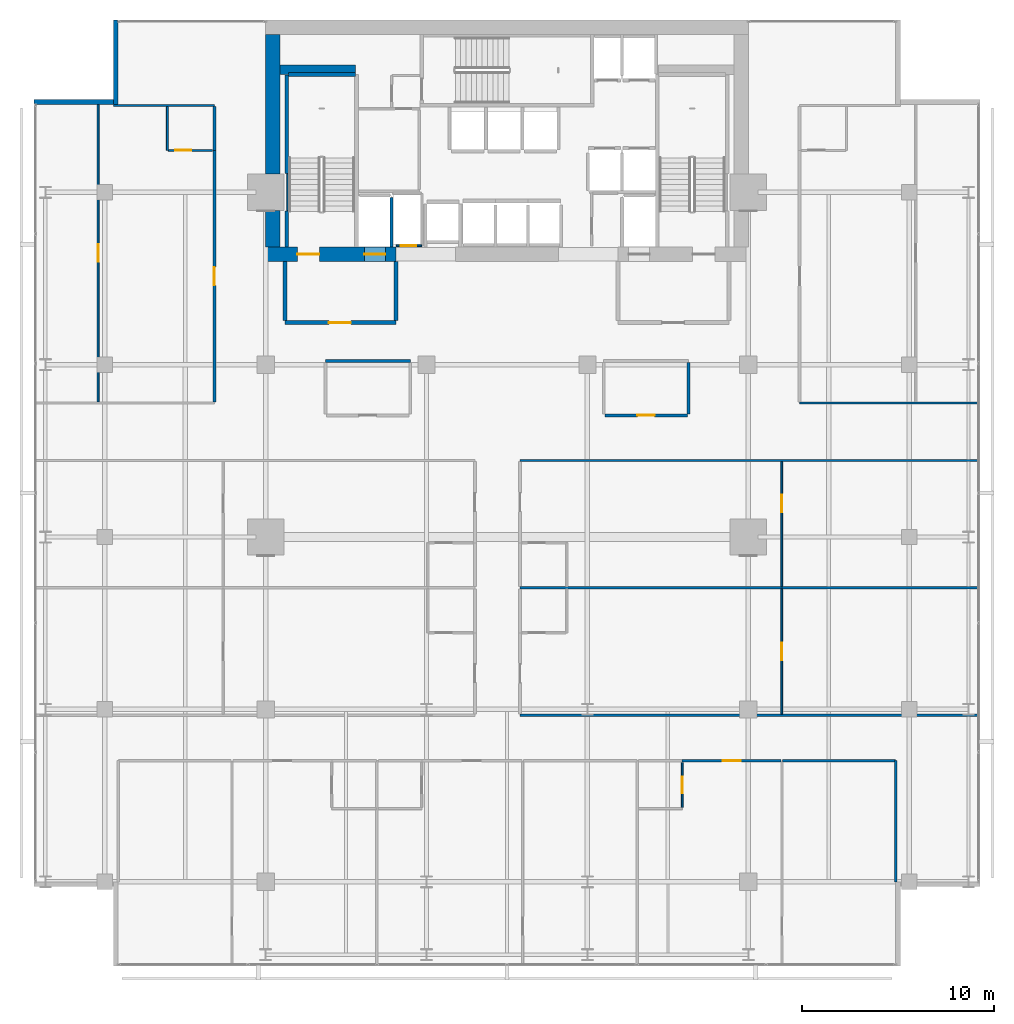
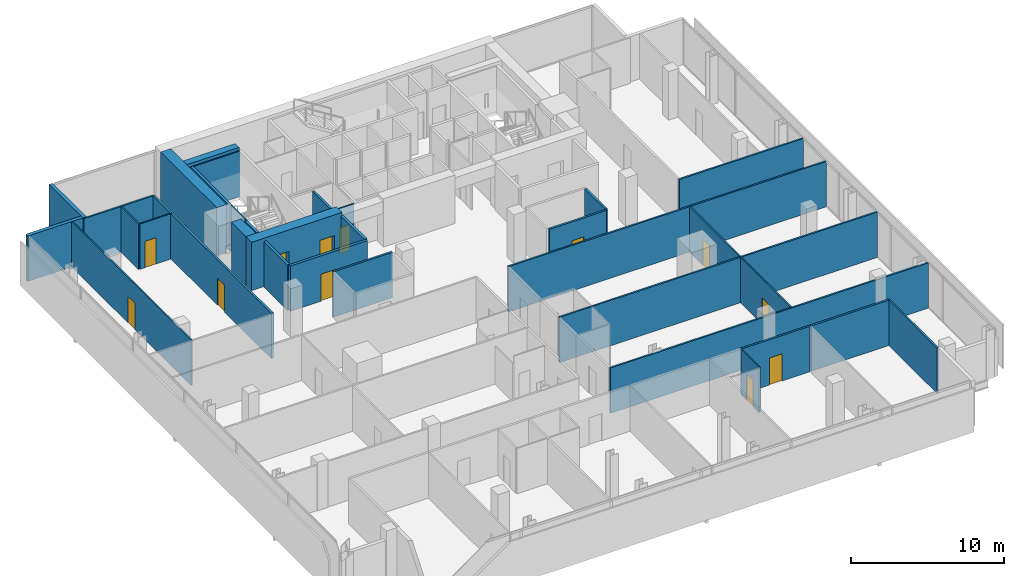
# One storey, part 28 of 32: 34 walls, 12 doors, 12 openings.
"""IFC4 building model written with IfcOpenShell, lengths in metres."""

from ifc_helpers import new_model, si_unit, direction, frame, frame_2d, origin, place, context, subcontext, project, spatial, rectangle, extrude, material, layer, layer_set, type_object, element, fill, save


model = new_model("IFC4")

# Units and contexts
model_context = context("Model", 3, precision=1e-05, world=origin(), true_north=direction((0.0, 1.0)))
body_context = subcontext(model_context, "Body", "Model", "MODEL_VIEW")
ifc_project = project(units=[si_unit("LENGTHUNIT", "METRE"), si_unit("AREAUNIT", "SQUARE_METRE"), si_unit("VOLUMEUNIT", "CUBIC_METRE"), si_unit("PLANEANGLEUNIT", "RADIAN"), si_unit("MASSUNIT", "GRAM", prefix="KILO")], contexts=[model_context])

# Site, building, storey
site_placement = place(None, origin())
site = spatial("IfcSite", under=ifc_project, at=site_placement, CompositionType="ELEMENT")
building_placement = place(site_placement, origin())
building = spatial("IfcBuilding", under=site, at=building_placement, Name="Maruvema Waterfront Hotel and Observation Tower", CompositionType="ELEMENT")
storey_placement = place(building_placement, frame((0.0, 0.0, 165.89990234375)))
storey = spatial("IfcBuildingStorey", under=building, at=storey_placement, Name="L40", CompositionType="ELEMENT", Elevation=165.89990234375)

# Walls
ifc_material_1 = material(Name="Twin-stud acoustic gypsum drywall", Category="gypsum")
ifc_layer_1 = layer(ifc_material_1, 0.14990234375, Name="Acoustic Corridor and Suite Demising Wall 150 mm")
ifc_layer_set_1 = layer_set([ifc_layer_1], Name="Twin-stud acoustic gypsum drywall")
wall_type_1 = type_object("IfcWallType", Name="Acoustic Corridor and Suite Demising Wall 150 mm", PredefinedType="PARTITIONING", material=ifc_layer_set_1)
wall_1_placement = place(storey_placement, frame((28.320068359375, 36.199951171875, 0.0), z_axis=(0.0, 0.0, 1.0), x_axis=(1.0, 0.0, 0.0)))
element("IfcWall", 1, at=wall_1_placement, inside=storey, type_object=wall_type_1, Name="L40 L40-M1 Back Wall 017", PredefinedType="PARTITIONING", context=body_context, shape_type="SweptSolid", body=[
    extrude(rectangle(XDim=4.429931640625, YDim=0.14990234375, at=frame_2d((2.21484375, 0.0))), origin(), (0.0, 0.0, 1.0), 3.610107421875),
])
wall_2_placement = place(storey_placement, frame((47.280029296875, 33.429931640625, 0.0), z_axis=(0.0, 0.0, 1.0), x_axis=(0.0, 1.0, 0.0)))
element("IfcWall", 2, at=wall_2_placement, inside=storey, type_object=wall_type_1, Name="L40 L40-M2 East Wall 023", PredefinedType="PARTITIONING", context=body_context, shape_type="SweptSolid", body=[
    extrude(rectangle(XDim=2.690185546875, YDim=0.14990234375, at=frame_2d((1.34521484375, 0.0))), origin(), (0.0, 0.0, 1.0), 3.610107421875),
])

# Wall, opening, door
wall_3_placement = place(storey_placement, frame((42.909912109375, 33.35009765625, 0.0), z_axis=(0.0, 0.0, 1.0), x_axis=(1.0, 0.0, 0.0)))
wall_3 = element("IfcWall", 3, at=wall_3_placement, inside=storey, type_object=wall_type_1, Name="L40 L40-M2 Front 1 024", PredefinedType="PARTITIONING", context=body_context, shape_type="SweptSolid", body=[
    extrude(rectangle(XDim=4.31005859375, YDim=0.14990234375, at=frame_2d((2.155029296875, 0.0))), origin(), (0.0, 0.0, 1.0), 3.610107421875),
])
opening_1_placement = place(wall_3_placement, frame((1.705078125, 0.0, 0.0)))
opening_1 = element("IfcOpeningElement", 4, at=opening_1_placement, cuts=wall_3, Name="Opening DR-090", PredefinedType="OPENING", context=body_context, shape_type="SweptSolid", body=[
    extrude(rectangle(XDim=0.89990234375, YDim=2.10009765625, at=frame_2d((0.449951171875, 1.050048828125))), frame((0.0, 0.0849609375, 0.0), z_axis=(0.0, -1.0, 0.0), x_axis=(1.0, 0.0, 0.0)), (0.0, 0.0, 1.0), 0.169921875),
])
ifc_material_2 = material(Name="Solid-core lacquered timber leaf", Category="wood")
door_type_1 = type_object("IfcDoorType", Name="Accessible Toilet and Room Door 900x2100 mm", OperationType="NOTDEFINED", PredefinedType="DOOR", material=ifc_material_2)
door_1_placement = place(opening_1_placement, frame((0.89990234375, 0.0, 0.0), z_axis=(0.0, 0.0, 1.0), x_axis=(-1.0, 0.0, 0.0)))
door_1 = element("IfcDoor", 5, at=door_1_placement, inside=storey, type_object=door_type_1, Name="L40 Chef Kitchen 3 Door", OperationType="SINGLE_SWING_RIGHT", OverallHeight=2.10009765625, OverallWidth=0.89990234375, PredefinedType="DOOR", context=body_context, shape_type="SweptSolid", body=[
    extrude(rectangle(XDim=0.89990234375, YDim=2.10009765625, at=frame_2d((0.449951171875, 1.050048828125))), frame((0.0, 0.02490234375, 0.0), z_axis=(0.0, -1.0, 0.0), x_axis=(1.0, 0.0, 0.0)), (0.0, 0.0, 1.0), 0.050048828125),
])
fill(opening_1, door_1)

wall_4_placement = place(storey_placement, frame((46.949951171875, 15.320068359375, 0.0), z_axis=(0.0, 0.0, 1.0), x_axis=(1.0, 0.0, 0.0)))
wall_4 = element("IfcWall", 6, at=wall_4_placement, inside=storey, type_object=wall_type_1, Name="L40 Unit L40-S3 Corridor Wall 044", PredefinedType="PARTITIONING", context=body_context, shape_type="SweptSolid", body=[
    extrude(rectangle(XDim=5.170166015625, YDim=0.14990234375, at=frame_2d((2.5849609375, 0.0))), origin(), (0.0, 0.0, 1.0), 3.610107421875),
])
opening_2_placement = place(wall_4_placement, frame((2.110107421875, 0.0, 0.0)))
opening_2 = element("IfcOpeningElement", 7, at=opening_2_placement, cuts=wall_4, Name="Opening DR-095", PredefinedType="OPENING", context=body_context, shape_type="SweptSolid", body=[
    extrude(rectangle(XDim=0.949951171875, YDim=2.14990234375, at=frame_2d((0.47509765625, 1.074951171875))), frame((0.0, 0.0849609375, 0.0), z_axis=(0.0, -1.0, 0.0), x_axis=(1.0, 0.0, 0.0)), (0.0, 0.0, 1.0), 0.169921875),
])
ifc_material_3 = material(Name="Acoustic solid-core hardwood timber leaf", Category="wood")
door_type_2 = type_object("IfcDoorType", Name="Guestroom Entrance Fire Door 950x2150 mm", OperationType="NOTDEFINED", PredefinedType="DOOR", material=ifc_material_3)
door_2_placement = place(opening_2_placement, frame((0.949951171875, 0.0, 0.0), z_axis=(0.0, 0.0, 1.0), x_axis=(-1.0, 0.0, 0.0)))
door_2 = element("IfcDoor", 8, at=door_2_placement, inside=storey, type_object=door_type_2, Name="L40 Unit L40-S3 Entrance Door", OperationType="SINGLE_SWING_RIGHT", OverallHeight=2.14990234375, OverallWidth=0.949951171875, PredefinedType="DOOR", context=body_context, shape_type="SweptSolid", body=[
    extrude(rectangle(XDim=0.949951171875, YDim=2.14990234375, at=frame_2d((0.47509765625, 1.074951171875))), frame((0.0, 0.02490234375, 0.0), z_axis=(0.0, -1.0, 0.0), x_axis=(1.0, 0.0, 0.0)), (0.0, 0.0, 1.0), 0.050048828125),
])
fill(opening_2, door_2)

# Wall
wall_5_placement = place(storey_placement, frame((52.199951171875, 15.320068359375, 0.0), z_axis=(0.0, 0.0, 1.0), x_axis=(1.0, 0.0, 0.0)))
element("IfcWall", 9, at=wall_5_placement, inside=storey, type_object=wall_type_1, Name="L40 Bedroom L40-S3 Back Wall 045", PredefinedType="PARTITIONING", context=body_context, shape_type="SweptSolid", body=[
    extrude(rectangle(XDim=5.880126953125, YDim=0.14990234375, at=frame_2d((2.93994140625, 0.0))), origin(), (0.0, 0.0, 1.0), 3.610107421875),
])

# Wall, opening, door
wall_6_placement = place(storey_placement, frame((22.52001953125, 34.06005859375, 0.0), z_axis=(0.0, 0.0, 1.0), x_axis=(0.0, 1.0, 0.0)))
wall_6 = element("IfcWall", 10, at=wall_6_placement, inside=storey, type_object=wall_type_1, Name="L40 Room L40-NW1 Corridor Wall 077", PredefinedType="PARTITIONING", context=body_context, shape_type="SweptSolid", body=[
    extrude(rectangle(XDim=13.12744140625, YDim=0.14990234375, at=frame_2d((6.563720703125, 0.0))), origin(), (0.0, 0.0, 1.0), 3.610107421875),
])
opening_3_placement = place(wall_6_placement, frame((6.088623046875, 0.0, 0.0)))
opening_3 = element("IfcOpeningElement", 11, at=opening_3_placement, cuts=wall_6, Name="Opening DR-095", PredefinedType="OPENING", context=body_context, shape_type="SweptSolid", body=[
    extrude(rectangle(XDim=0.949951171875, YDim=2.14990234375, at=frame_2d((0.47509765625, 1.074951171875))), frame((0.0, 0.0849609375, 0.0), z_axis=(0.0, -1.0, 0.0), x_axis=(1.0, 0.0, 0.0)), (0.0, 0.0, 1.0), 0.169921875),
])
door_3_placement = place(opening_3_placement, origin())
door_3 = element("IfcDoor", 12, at=door_3_placement, inside=storey, type_object=door_type_2, Name="L40 Room L40-NW1 Entrance Door", OperationType="SINGLE_SWING_LEFT", OverallHeight=2.14990234375, OverallWidth=0.949951171875, PredefinedType="DOOR", context=body_context, shape_type="SweptSolid", body=[
    extrude(rectangle(XDim=0.949951171875, YDim=2.14990234375, at=frame_2d((0.47509765625, 1.074951171875))), frame((0.0, 0.02490234375, 0.0), z_axis=(0.0, -1.0, 0.0), x_axis=(1.0, 0.0, 0.0)), (0.0, 0.0, 1.0), 0.050048828125),
])
fill(opening_3, door_3)

# Walls
wall_7_placement = place(storey_placement, frame((22.52001953125, 47.1875, 0.0), z_axis=(0.0, 0.0, 1.0), x_axis=(0.0, 1.0, 0.0)))
element("IfcWall", 13, at=wall_7_placement, inside=storey, type_object=wall_type_1, Name="L40 Bath L40-NW1 Wall 078", PredefinedType="PARTITIONING", context=body_context, shape_type="SweptSolid", body=[
    extrude(rectangle(XDim=2.2900390625, YDim=0.14990234375, at=frame_2d((1.14501953125, 0.0))), origin(), (0.0, 0.0, 1.0), 3.610107421875),
])
ifc_material_4 = material(Name="Precast concrete C45/55", Category="concrete")
ifc_layer_2 = layer(ifc_material_4, 0.199951171875, Name="Core Shaft and Stairwell Enclosure Wall 200 mm")
ifc_layer_set_2 = layer_set([ifc_layer_2], Name="Precast concrete C45/55")
wall_type_2 = type_object("IfcWallType", Name="Core Shaft and Stairwell Enclosure Wall 200 mm", PredefinedType="SOLIDWALL", material=ifc_layer_set_2)
wall_8_placement = place(storey_placement, frame((26.300048828125, 42.14990234375, 0.0), z_axis=(0.0, 0.0, 1.0), x_axis=(0.0, 1.0, 0.0)))
element("IfcWall", 14, at=wall_8_placement, inside=storey, type_object=wall_type_2, Name="L40 Stairwell ST-01 Shaft Lining Wall", PredefinedType="SOLIDWALL", context=body_context, shape_type="SweptSolid", body=[
    extrude(rectangle(XDim=1.8701171875, YDim=0.199951171875, at=frame_2d((0.93505859375, 0.0))), origin(), (0.0, 0.0, 1.0), 3.610107421875),
])
wall_9_placement = place(storey_placement, frame((26.300048828125, 45.97998046875, 0.0), z_axis=(0.0, 0.0, 1.0), x_axis=(0.0, 1.0, 0.0)))
element("IfcWall", 15, at=wall_9_placement, inside=storey, type_object=wall_type_2, Name="L40 Stairwell ST-01 Shaft Lining Wall", PredefinedType="SOLIDWALL", context=body_context, shape_type="SweptSolid", body=[
    extrude(rectangle(XDim=5.14013671875, YDim=0.199951171875, at=frame_2d((2.570068359375, 0.0))), origin(), (0.0, 0.0, 1.0), 3.610107421875),
])
wall_10_placement = place(storey_placement, frame((26.3798828125, 51.14990234375, 0.0), z_axis=(0.0, 0.0, 1.0), x_axis=(1.0, 0.0, 0.0)))
element("IfcWall", 16, at=wall_10_placement, inside=storey, type_object=wall_type_2, Name="L40 Stairwell ST-01 Shaft Lining Wall", PredefinedType="SOLIDWALL", context=body_context, shape_type="SweptSolid", body=[
    extrude(rectangle(XDim=3.5, YDim=0.199951171875, at=frame_2d((1.75, 0.0))), origin(), (0.0, 0.0, 1.0), 3.610107421875),
])
ifc_material_5 = material(Name="Concrete C70/85", Category="concrete")
ifc_layer_3 = layer(ifc_material_5, 0.5, Name="Core Shear Wall 500 mm")
ifc_layer_set_3 = layer_set([ifc_layer_3], Name="Concrete C70/85")
wall_type_3 = type_object("IfcWallType", Name="Core Shear Wall 500 mm", PredefinedType="SHEAR", material=ifc_layer_set_3)
wall_11_placement = place(storey_placement, frame((25.949951171875, 51.39990234375, 0.0), z_axis=(0.0, 0.0, 1.0), x_axis=(1.0, 0.0, 0.0)))
element("IfcWall", 17, at=wall_11_placement, inside=storey, type_object=wall_type_3, Name="L40 Internal Core Shear Wall NW 500 mm", PredefinedType="SHEAR", context=body_context, shape_type="SweptSolid", body=[
    extrude(rectangle(XDim=3.949951171875, YDim=0.5, at=frame_2d((1.97509765625, 0.0))), origin(), (0.0, 0.0, 1.0), 3.85009765625),
])

# Wall, openings, doors
ifc_material_6 = material(Name="Concrete C70/85", Category="concrete")
ifc_layer_4 = layer(ifc_material_6, 0.75, Name="Core Shear Wall 750 mm")
ifc_layer_set_4 = layer_set([ifc_layer_4], Name="Concrete C70/85")
wall_type_4 = type_object("IfcWallType", Name="Core Shear Wall 750 mm", PredefinedType="SHEAR", material=ifc_layer_set_4)
wall_12_placement = place(storey_placement, frame((25.199951171875, 41.77490234375, 0.0), z_axis=(0.0, 0.0, 1.0), x_axis=(1.0, 0.0, 0.0)))
wall_12 = element("IfcWall", 18, at=wall_12_placement, inside=storey, type_object=wall_type_4, Name="L40 South-West Core Shear Wall", PredefinedType="SHEAR", context=body_context, shape_type="SweptSolid", body=[
    extrude(rectangle(XDim=6.800048828125, YDim=0.75, at=frame_2d((3.39990234375, 0.0))), origin(), (0.0, 0.0, 1.0), 3.85009765625),
])
opening_4_placement = place(wall_12_placement, frame((1.64990234375, 0.0, 0.0)))
opening_4 = element("IfcOpeningElement", 19, at=opening_4_placement, cuts=wall_12, Name="Opening SD-01", PredefinedType="OPENING", context=body_context, shape_type="SweptSolid", body=[
    extrude(rectangle(XDim=1.14990234375, YDim=2.14990234375, at=frame_2d((0.574951171875, 1.074951171875))), frame((0.0, 0.385009765625, 0.0), z_axis=(0.0, -1.0, 0.0), x_axis=(1.0, 0.0, 0.0)), (0.0, 0.0, 1.0), 0.77001953125),
])
opening_5_placement = place(wall_12_placement, frame((5.14990234375, 0.0, 0.0)))
opening_5 = element("IfcOpeningElement", 20, at=opening_5_placement, cuts=wall_12, Name="Opening LD-03", PredefinedType="OPENING", context=body_context, shape_type="SweptSolid", body=[
    extrude(rectangle(XDim=1.10009765625, YDim=2.199951171875, at=frame_2d((0.550048828125, 1.10009765625))), frame((0.0, 0.385009765625, 0.0), z_axis=(0.0, -1.0, 0.0), x_axis=(1.0, 0.0, 0.0)), (0.0, 0.0, 1.0), 0.77001953125),
])
ifc_material_7 = material(Name="Fire-rated galvanised steel leaf", Category="steel")
door_type_3 = type_object("IfcDoorType", Name="Exit Stair Fire Door 1150x2150 mm", OperationType="NOTDEFINED", PredefinedType="DOOR", material=ifc_material_7)
door_4_placement = place(opening_4_placement, origin())
door_4 = element("IfcDoor", 21, at=door_4_placement, inside=storey, type_object=door_type_3, Name="L40 Exit Stair ST-01 Fire Door", OperationType="SINGLE_SWING_LEFT", OverallHeight=2.14990234375, OverallWidth=1.14990234375, PredefinedType="DOOR", context=body_context, shape_type="SweptSolid", body=[
    extrude(rectangle(XDim=1.14990234375, YDim=2.14990234375, at=frame_2d((0.574951171875, 1.074951171875))), frame((0.0, 0.02490234375, 0.0), z_axis=(0.0, -1.0, 0.0), x_axis=(1.0, 0.0, 0.0)), (0.0, 0.0, 1.0), 0.050048828125),
])
fill(opening_4, door_4)
ifc_material_8 = material(Name="Brushed stainless steel Grade 316", Category="steel")
door_type_4 = type_object("IfcDoorType", Name="Firefighting Lift Sliding Landing Door 1100x2200 mm", OperationType="SLIDING_TO_LEFT", PredefinedType="DOOR", material=ifc_material_8)
door_5_placement = place(opening_5_placement, frame((1.10009765625, 0.0, 0.0), z_axis=(0.0, 0.0, 1.0), x_axis=(-1.0, 0.0, 0.0)))
door_5 = element("IfcDoor", 22, at=door_5_placement, inside=storey, type_object=door_type_4, Name="L40 Firefighting Lift FL-01 Landing Door", OperationType="SLIDING_TO_LEFT", OverallHeight=2.199951171875, OverallWidth=1.10009765625, PredefinedType="DOOR", context=body_context, shape_type="SweptSolid", body=[
    extrude(rectangle(XDim=1.10009765625, YDim=2.199951171875, at=frame_2d((0.550048828125, 1.10009765625))), frame((0.0, 0.02490234375, 0.0), z_axis=(0.0, -1.0, 0.0), x_axis=(1.0, 0.0, 0.0)), (0.0, 0.0, 1.0), 0.050048828125),
])
fill(opening_5, door_5)

# Walls
wall_13_placement = place(storey_placement, frame((25.574951171875, 42.14990234375, 0.0), z_axis=(0.0, 0.0, 1.0), x_axis=(0.0, 1.0, 0.0)))
element("IfcWall", 23, at=wall_13_placement, inside=storey, type_object=wall_type_4, Name="L40 West-South Core Shear Wall", PredefinedType="SHEAR", context=body_context, shape_type="SweptSolid", body=[
    extrude(rectangle(XDim=1.900146484375, YDim=0.75, at=frame_2d((0.9501953125, 0.0))), origin(), (0.0, 0.0, 1.0), 3.85009765625),
])
wall_14_placement = place(storey_placement, frame((25.574951171875, 45.949951171875, 0.0), z_axis=(0.0, 0.0, 1.0), x_axis=(0.0, 1.0, 0.0)))
element("IfcWall", 24, at=wall_14_placement, inside=storey, type_object=wall_type_4, Name="L40 West-North Core Shear Wall", PredefinedType="SHEAR", context=body_context, shape_type="SweptSolid", body=[
    extrude(rectangle(XDim=7.300048828125, YDim=0.75, at=frame_2d((3.64990234375, 0.0))), origin(), (0.0, 0.0, 1.0), 3.85009765625),
])

# Wall, opening, door
ifc_material_9 = material(Name="Moisture-resistant cement-board drywall", Category="gypsum")
ifc_layer_5 = layer(ifc_material_9, 0.10009765625, Name="En-Suite Moisture-Resistant Partition 100 mm")
ifc_layer_set_5 = layer_set([ifc_layer_5], Name="Moisture-resistant cement-board drywall")
wall_type_5 = type_object("IfcWallType", Name="En-Suite Moisture-Resistant Partition 100 mm", PredefinedType="PARTITIONING", material=ifc_layer_set_5)
wall_15_placement = place(storey_placement, frame((32.02001953125, 42.2099609375, 0.0), z_axis=(0.0, 0.0, 1.0), x_axis=(1.0, 0.0, 0.0)))
wall_15 = element("IfcWall", 25, at=wall_15_placement, inside=storey, type_object=wall_type_5, Name="L40 Telecom Riser South Wall 007", PredefinedType="PARTITIONING", context=body_context, shape_type="SweptSolid", body=[
    extrude(rectangle(XDim=1.320068359375, YDim=0.10009765625, at=frame_2d((0.66015625, 0.0))), origin(), (0.0, 0.0, 1.0), 3.610107421875),
])
opening_6_placement = place(wall_15_placement, frame((0.239990234375, 0.0, 0.0)))
opening_6 = element("IfcOpeningElement", 26, at=opening_6_placement, cuts=wall_15, Name="Opening DR-080", PredefinedType="OPENING", context=body_context, shape_type="SweptSolid", body=[
    extrude(rectangle(XDim=0.800048828125, YDim=2.050048828125, at=frame_2d((0.39990234375, 1.02490234375))), frame((0.0, 0.06005859375, 0.0), z_axis=(0.0, -1.0, 0.0), x_axis=(1.0, 0.0, 0.0)), (0.0, 0.0, 1.0), 0.1201171875),
])
ifc_material_10 = material(Name="Powder-coated steel access leaf", Category="steel")
door_type_5 = type_object("IfcDoorType", Name="Riser and Service Cupboard Door 800x2050 mm", OperationType="NOTDEFINED", PredefinedType="DOOR", material=ifc_material_10)
door_6_placement = place(opening_6_placement, frame((0.800048828125, 0.0, 0.0), z_axis=(0.0, 0.0, 1.0), x_axis=(-1.0, 0.0, 0.0)))
door_6 = element("IfcDoor", 27, at=door_6_placement, inside=storey, type_object=door_type_5, Name="L40 Telecom Riser Door", OperationType="SINGLE_SWING_LEFT", OverallHeight=2.050048828125, OverallWidth=0.800048828125, PredefinedType="DOOR", context=body_context, shape_type="SweptSolid", body=[
    extrude(rectangle(XDim=0.800048828125, YDim=2.050048828125, at=frame_2d((0.39990234375, 1.02490234375))), frame((0.0, 0.02490234375, 0.0), z_axis=(0.0, -1.0, 0.0), x_axis=(1.0, 0.0, 0.0)), (0.0, 0.0, 1.0), 0.050048828125),
])
fill(opening_6, door_6)

wall_16_placement = place(storey_placement, frame((46.949951171875, 12.8798828125, 0.0), z_axis=(0.0, 0.0, 1.0), x_axis=(0.0, 1.0, 0.0)))
wall_16 = element("IfcWall", 28, at=wall_16_placement, inside=storey, type_object=wall_type_5, Name="L40 En-Suite L40-S3 East 043", PredefinedType="PARTITIONING", context=body_context, shape_type="SweptSolid", body=[
    extrude(rectangle(XDim=2.340087890625, YDim=0.10009765625, at=frame_2d((1.169921875, 0.0))), origin(), (0.0, 0.0, 1.0), 3.610107421875),
])
opening_7_placement = place(wall_16_placement, frame((0.7451171875, 0.0, 0.0)))
opening_7 = element("IfcOpeningElement", 29, at=opening_7_placement, cuts=wall_16, Name="Opening DR-085", PredefinedType="OPENING", context=body_context, shape_type="SweptSolid", body=[
    extrude(rectangle(XDim=0.85009765625, YDim=2.10009765625, at=frame_2d((0.425048828125, 1.050048828125))), frame((0.0, 0.06005859375, 0.0), z_axis=(0.0, -1.0, 0.0), x_axis=(1.0, 0.0, 0.0)), (0.0, 0.0, 1.0), 0.1201171875),
])
ifc_material_11 = material(Name="Moisture-resistant solid timber leaf", Category="wood")
door_type_6 = type_object("IfcDoorType", Name="En-Suite Bathroom Door 850x2100 mm", OperationType="NOTDEFINED", PredefinedType="DOOR", material=ifc_material_11)
door_7_placement = place(opening_7_placement, frame((0.85009765625, 0.0, 0.0), z_axis=(0.0, 0.0, 1.0), x_axis=(-1.0, 0.0, 0.0)))
door_7 = element("IfcDoor", 30, at=door_7_placement, inside=storey, type_object=door_type_6, Name="L40 En-Suite L40-S3 Door", OperationType="SINGLE_SWING_LEFT", OverallHeight=2.10009765625, OverallWidth=0.85009765625, PredefinedType="DOOR", context=body_context, shape_type="SweptSolid", body=[
    extrude(rectangle(XDim=0.85009765625, YDim=2.10009765625, at=frame_2d((0.425048828125, 1.050048828125))), frame((0.0, 0.02490234375, 0.0), z_axis=(0.0, -1.0, 0.0), x_axis=(1.0, 0.0, 0.0)), (0.0, 0.0, 1.0), 0.050048828125),
])
fill(opening_7, door_7)

wall_17_placement = place(storey_placement, frame((52.146484375, 17.760009765625, 0.0), z_axis=(0.0, 0.0, 1.0), x_axis=(0.0, 1.0, 0.0)))
wall_17 = element("IfcWall", 31, at=wall_17_placement, inside=storey, type_object=wall_type_5, Name="L40 Suite L40-E1 Split 060", PredefinedType="PARTITIONING", context=body_context, shape_type="SweptSolid", body=[
    extrude(rectangle(XDim=6.530029296875, YDim=0.10009765625, at=frame_2d((3.26513671875, 0.0))), origin(), (0.0, 0.0, 1.0), 3.610107421875),
])
opening_8_placement = place(wall_17_placement, frame((2.81494140625, 0.0, 0.0)))
opening_8 = element("IfcOpeningElement", 32, at=opening_8_placement, cuts=wall_17, Name="Opening DR-090", PredefinedType="OPENING", context=body_context, shape_type="SweptSolid", body=[
    extrude(rectangle(XDim=0.89990234375, YDim=2.10009765625, at=frame_2d((0.449951171875, 1.050048828125))), frame((0.0, 0.06005859375, 0.0), z_axis=(0.0, -1.0, 0.0), x_axis=(1.0, 0.0, 0.0)), (0.0, 0.0, 1.0), 0.1201171875),
])
door_8_placement = place(opening_8_placement, frame((0.89990234375, 0.0, 0.0), z_axis=(0.0, 0.0, 1.0), x_axis=(-1.0, 0.0, 0.0)))
door_8 = element("IfcDoor", 33, at=door_8_placement, inside=storey, type_object=door_type_1, Name="L40 Suite L40-E1 Bedroom Door", OperationType="SINGLE_SWING_LEFT", OverallHeight=2.10009765625, OverallWidth=0.89990234375, PredefinedType="DOOR", context=body_context, shape_type="SweptSolid", body=[
    extrude(rectangle(XDim=0.89990234375, YDim=2.10009765625, at=frame_2d((0.449951171875, 1.050048828125))), frame((0.0, 0.02490234375, 0.0), z_axis=(0.0, -1.0, 0.0), x_axis=(1.0, 0.0, 0.0)), (0.0, 0.0, 1.0), 0.050048828125),
])
fill(opening_8, door_8)

wall_18_placement = place(storey_placement, frame((52.146484375, 24.409912109375, 0.0), z_axis=(0.0, 0.0, 1.0), x_axis=(0.0, 1.0, 0.0)))
wall_18 = element("IfcWall", 34, at=wall_18_placement, inside=storey, type_object=wall_type_5, Name="L40 Suite L40-E2 Split 072", PredefinedType="PARTITIONING", context=body_context, shape_type="SweptSolid", body=[
    extrude(rectangle(XDim=6.530029296875, YDim=0.10009765625, at=frame_2d((3.26513671875, 0.0))), origin(), (0.0, 0.0, 1.0), 3.610107421875),
])
opening_9_placement = place(wall_18_placement, frame((3.89501953125, 0.0, 0.0)))
opening_9 = element("IfcOpeningElement", 35, at=opening_9_placement, cuts=wall_18, Name="Opening DR-090", PredefinedType="OPENING", context=body_context, shape_type="SweptSolid", body=[
    extrude(rectangle(XDim=0.89990234375, YDim=2.10009765625, at=frame_2d((0.449951171875, 1.050048828125))), frame((0.0, 0.06005859375, 0.0), z_axis=(0.0, -1.0, 0.0), x_axis=(1.0, 0.0, 0.0)), (0.0, 0.0, 1.0), 0.1201171875),
])
door_9_placement = place(opening_9_placement, frame((0.89990234375, 0.0, 0.0), z_axis=(0.0, 0.0, 1.0), x_axis=(-1.0, 0.0, 0.0)))
door_9 = element("IfcDoor", 36, at=door_9_placement, inside=storey, type_object=door_type_1, Name="L40 Suite L40-E2 Bedroom Door", OperationType="SINGLE_SWING_LEFT", OverallHeight=2.10009765625, OverallWidth=0.89990234375, PredefinedType="DOOR", context=body_context, shape_type="SweptSolid", body=[
    extrude(rectangle(XDim=0.89990234375, YDim=2.10009765625, at=frame_2d((0.449951171875, 1.050048828125))), frame((0.0, 0.02490234375, 0.0), z_axis=(0.0, -1.0, 0.0), x_axis=(1.0, 0.0, 0.0)), (0.0, 0.0, 1.0), 0.050048828125),
])
fill(opening_9, door_9)

# Wall
wall_19_placement = place(storey_placement, frame((20.070068359375, 47.1875, 0.0), z_axis=(0.0, 0.0, 1.0), x_axis=(0.0, 1.0, 0.0)))
element("IfcWall", 37, at=wall_19_placement, inside=storey, type_object=wall_type_5, Name="L40 En-Suite L40-NW1 W 079", PredefinedType="PARTITIONING", context=body_context, shape_type="SweptSolid", body=[
    extrude(rectangle(XDim=2.2900390625, YDim=0.10009765625, at=frame_2d((1.14501953125, 0.0))), origin(), (0.0, 0.0, 1.0), 3.610107421875),
])

# Wall, opening, door
wall_20_placement = place(storey_placement, frame((20.1201171875, 47.1875, 0.0), z_axis=(0.0, 0.0, 1.0), x_axis=(1.0, 0.0, 0.0)))
wall_20 = element("IfcWall", 38, at=wall_20_placement, inside=storey, type_object=wall_type_5, Name="L40 En-Suite L40-NW1 S 080", PredefinedType="PARTITIONING", context=body_context, shape_type="SweptSolid", body=[
    extrude(rectangle(XDim=2.2998046875, YDim=0.10009765625, at=frame_2d((1.14990234375, 0.0))), origin(), (0.0, 0.0, 1.0), 3.610107421875),
])
opening_10_placement = place(wall_20_placement, frame((0.35009765625, 0.0, 0.0)))
opening_10 = element("IfcOpeningElement", 39, at=opening_10_placement, cuts=wall_20, Name="Opening DR-085", PredefinedType="OPENING", context=body_context, shape_type="SweptSolid", body=[
    extrude(rectangle(XDim=0.85009765625, YDim=2.10009765625, at=frame_2d((0.425048828125, 1.050048828125))), frame((0.0, 0.06005859375, 0.0), z_axis=(0.0, -1.0, 0.0), x_axis=(1.0, 0.0, 0.0)), (0.0, 0.0, 1.0), 0.1201171875),
])
door_10_placement = place(opening_10_placement, frame((0.85009765625, 0.0, 0.0), z_axis=(0.0, 0.0, 1.0), x_axis=(-1.0, 0.0, 0.0)))
door_10 = element("IfcDoor", 40, at=door_10_placement, inside=storey, type_object=door_type_6, Name="L40 En-Suite L40-NW1 Door", OperationType="SINGLE_SWING_RIGHT", OverallHeight=2.10009765625, OverallWidth=0.85009765625, PredefinedType="DOOR", context=body_context, shape_type="SweptSolid", body=[
    extrude(rectangle(XDim=0.85009765625, YDim=2.10009765625, at=frame_2d((0.425048828125, 1.050048828125))), frame((0.0, 0.02490234375, 0.0), z_axis=(0.0, -1.0, 0.0), x_axis=(1.0, 0.0, 0.0)), (0.0, 0.0, 1.0), 0.050048828125),
])
fill(opening_10, door_10)

wall_21_placement = place(storey_placement, frame((16.445556640625, 34.06005859375, 0.0), z_axis=(0.0, 0.0, 1.0), x_axis=(0.0, 1.0, 0.0)))
wall_21 = element("IfcWall", 41, at=wall_21_placement, inside=storey, type_object=wall_type_5, Name="L40 Suite L40-NW1 Split 081", PredefinedType="PARTITIONING", context=body_context, shape_type="SweptSolid", body=[
    extrude(rectangle(XDim=15.537353515625, YDim=0.10009765625, at=frame_2d((7.7685546875, 0.0))), origin(), (0.0, 0.0, 1.0), 3.610107421875),
])
opening_11_placement = place(wall_21_placement, frame((7.318603515625, 0.0, 0.0)))
opening_11 = element("IfcOpeningElement", 42, at=opening_11_placement, cuts=wall_21, Name="Opening DR-090", PredefinedType="OPENING", context=body_context, shape_type="SweptSolid", body=[
    extrude(rectangle(XDim=0.89990234375, YDim=2.10009765625, at=frame_2d((0.449951171875, 1.050048828125))), frame((0.0, 0.06005859375, 0.0), z_axis=(0.0, -1.0, 0.0), x_axis=(1.0, 0.0, 0.0)), (0.0, 0.0, 1.0), 0.1201171875),
])
door_11_placement = place(opening_11_placement, origin())
door_11 = element("IfcDoor", 43, at=door_11_placement, inside=storey, type_object=door_type_1, Name="L40 Suite L40-NW1 Bedroom Door", OperationType="SINGLE_SWING_RIGHT", OverallHeight=2.10009765625, OverallWidth=0.89990234375, PredefinedType="DOOR", context=body_context, shape_type="SweptSolid", body=[
    extrude(rectangle(XDim=0.89990234375, YDim=2.10009765625, at=frame_2d((0.449951171875, 1.050048828125))), frame((0.0, 0.02490234375, 0.0), z_axis=(0.0, -1.0, 0.0), x_axis=(1.0, 0.0, 0.0)), (0.0, 0.0, 1.0), 0.050048828125),
])
fill(opening_11, door_11)

# Walls
ifc_material_12 = material(Name="Precast concrete C45/55 with honed Pernambuco granite facing", Category="masonry")
ifc_layer_6 = layer(ifc_material_12, 0.260009765625, Name="Exterior Granite Clad Spandrel and Pier Wall 260 mm")
ifc_layer_set_6 = layer_set([ifc_layer_6], Name="Precast concrete C45/55 with honed Pernambuco granite facing")
wall_type_6 = type_object("IfcWallType", Name="Exterior Granite Clad Spandrel and Pier Wall 260 mm", PredefinedType="SOLIDWALL", material=ifc_layer_set_6)
for number, where, z_axis, x_axis, name in (
    (44, (17.3701171875, 49.60009765625, 0.0), (0.0, 0.0, 1.0), (0.0, 1.0, 0.0), "L40 Corner Notch Granite Pier Wall NW1"),
    (45, (13.10009765625, 49.72998046875, 0.0), (0.0, 0.0, 1.0), (1.0, 0.0, 0.0), "L40 Corner Notch Granite Pier Wall NW2"),
):
    element("IfcWall", number, at=place(storey_placement, frame(where, z_axis=z_axis, x_axis=x_axis)), inside=storey, type_object=wall_type_6, Name=name, PredefinedType="SOLIDWALL", context=body_context, shape_type="SweptSolid", body=[
        extrude(rectangle(XDim=4.39990234375, YDim=0.260009765625, at=frame_2d((2.199951171875, 0.0))), origin(), (0.0, 0.0, 1.0), 3.610107421875),
    ])

# Wall, opening, door
ifc_material_13 = material(Name="Autoclaved cellular concrete blockwork", Category="masonry")
ifc_layer_7 = layer(ifc_material_13, 0.199951171875, Name="Fire Compartment Masonry Wall 200 mm")
ifc_layer_set_7 = layer_set([ifc_layer_7], Name="Autoclaved cellular concrete blockwork")
wall_type_7 = type_object("IfcWallType", Name="Fire Compartment Masonry Wall 200 mm", PredefinedType="PARTITIONING", material=ifc_layer_set_7)
wall_22_placement = place(storey_placement, frame((26.199951171875, 38.199951171875, 0.0), z_axis=(0.0, 0.0, 1.0), x_axis=(1.0, 0.0, 0.0)))
wall_22 = element("IfcWall", 46, at=wall_22_placement, inside=storey, type_object=wall_type_7, Name="L40 FFL West South Wall 001", PredefinedType="PARTITIONING", context=body_context, shape_type="SweptSolid", body=[
    extrude(rectangle(XDim=5.800048828125, YDim=0.199951171875, at=frame_2d((2.89990234375, 0.0))), origin(), (0.0, 0.0, 1.0), 3.610107421875),
])
opening_12_placement = place(wall_22_placement, frame((2.300048828125, 0.0, 0.0)))
opening_12 = element("IfcOpeningElement", 47, at=opening_12_placement, cuts=wall_22, Name="Opening FD-115", PredefinedType="OPENING", context=body_context, shape_type="SweptSolid", body=[
    extrude(rectangle(XDim=1.14990234375, YDim=2.14990234375, at=frame_2d((0.574951171875, 1.074951171875))), frame((0.0, 0.10986328125, 0.0), z_axis=(0.0, -1.0, 0.0), x_axis=(1.0, 0.0, 0.0)), (0.0, 0.0, 1.0), 0.219970703125),
])
ifc_material_14 = material(Name="Fire-rated galvanised steel and vision glass", Category="steel")
door_type_7 = type_object("IfcDoorType", Name="Firefighting Lobby Fire Door 1150x2150 mm", OperationType="NOTDEFINED", PredefinedType="DOOR", material=ifc_material_14)
door_12_placement = place(opening_12_placement, frame((1.14990234375, 0.0, 0.0), z_axis=(0.0, 0.0, 1.0), x_axis=(-1.0, 0.0, 0.0)))
door_12 = element("IfcDoor", 48, at=door_12_placement, inside=storey, type_object=door_type_7, Name="L40 Firefighting Lobby West Door", OperationType="SINGLE_SWING_LEFT", OverallHeight=2.14990234375, OverallWidth=1.14990234375, PredefinedType="DOOR", context=body_context, shape_type="SweptSolid", body=[
    extrude(rectangle(XDim=1.14990234375, YDim=2.14990234375, at=frame_2d((0.574951171875, 1.074951171875))), frame((0.0, 0.02490234375, 0.0), z_axis=(0.0, -1.0, 0.0), x_axis=(1.0, 0.0, 0.0)), (0.0, 0.0, 1.0), 0.050048828125),
])
fill(opening_12, door_12)

# Walls
for number, where, z_axis, x_axis, name in (
    (49, (26.199951171875, 38.31005859375, 0.0), (0.0, 0.0, 1.0), (0.0, 1.0, 0.0), "L40 FFL West West Wall 002"),
    (50, (32.0, 38.31005859375, 0.0), (0.0, 0.0, 1.0), (0.0, 1.0, 0.0), "L40 FFL West East Wall 003"),
):
    element("IfcWall", number, at=place(storey_placement, frame(where, z_axis=z_axis, x_axis=x_axis)), inside=storey, type_object=wall_type_7, Name=name, PredefinedType="PARTITIONING", context=body_context, shape_type="SweptSolid", body=[
        extrude(rectangle(XDim=3.06982421875, YDim=0.199951171875, at=frame_2d((1.534912109375, 0.0))), origin(), (0.0, 0.0, 1.0), 3.610107421875),
    ])
ifc_material_15 = material(Name="Acoustic gypsum plasterboard drywall", Category="gypsum")
ifc_layer_8 = layer(ifc_material_15, 0.125, Name="Guestroom Acoustic Demising Wall 125 mm")
ifc_layer_set_8 = layer_set([ifc_layer_8], Name="Acoustic gypsum plasterboard drywall")
wall_type_8 = type_object("IfcWallType", Name="Guestroom Acoustic Demising Wall 125 mm", PredefinedType="PARTITIONING", material=ifc_layer_set_8)
wall_23_placement = place(storey_placement, frame((58.10009765625, 9.0, 0.0), z_axis=(0.0, 0.0, 1.0), x_axis=(0.0, 1.0, 0.0)))
element("IfcWall", 51, at=wall_23_placement, inside=storey, type_object=wall_type_8, Name="L40 Z2 S East End 026", PredefinedType="PARTITIONING", context=body_context, shape_type="SweptSolid", body=[
    extrude(rectangle(XDim=6.320068359375, YDim=0.125, at=frame_2d((3.16015625, 0.0))), origin(), (0.0, 0.0, 1.0), 3.610107421875),
])
for number, where, z_axis, x_axis, name in (
    (52, (38.47998046875, 17.699951171875, 0.0), (0.0, 0.0, 1.0), (1.0, 0.0, 0.0), "L40 Z2 E Bot End 048"),
    (53, (38.47998046875, 31.0, 0.0), (0.0, 0.0, 1.0), (1.0, 0.0, 0.0), "L40 Z2 E Top End 050"),
    (54, (38.47998046875, 24.35009765625, 0.0), (0.0, 0.0, 1.0), (1.0, 0.0, 0.0), "L40 Z2 E Demising 2 062"),
):
    element("IfcWall", number, at=place(storey_placement, frame(where, z_axis=z_axis, x_axis=x_axis)), inside=storey, type_object=wall_type_8, Name=name, PredefinedType="PARTITIONING", context=body_context, shape_type="SweptSolid", body=[
        extrude(rectangle(XDim=23.919921875, YDim=0.125, at=frame_2d((11.9599609375, 0.0))), origin(), (0.0, 0.0, 1.0), 3.610107421875),
    ])
wall_24_placement = place(storey_placement, frame((53.080078125, 34.0, 0.0), z_axis=(0.0, 0.0, 1.0), x_axis=(1.0, 0.0, 0.0)))
element("IfcWall", 55, at=wall_24_placement, inside=storey, type_object=wall_type_8, Name="L40 Z2 NE Bot End 074", PredefinedType="PARTITIONING", context=body_context, shape_type="SweptSolid", body=[
    extrude(rectangle(XDim=9.31982421875, YDim=0.125, at=frame_2d((4.659912109375, 0.0))), origin(), (0.0, 0.0, 1.0), 3.610107421875),
])
wall_25_placement = place(storey_placement, frame((17.239990234375, 49.53759765625, 0.0), z_axis=(0.0, 0.0, 1.0), x_axis=(1.0, 0.0, 0.0)))
element("IfcWall", 56, at=wall_25_placement, inside=storey, type_object=wall_type_8, Name="L40 Z2 NW Top End 075", PredefinedType="PARTITIONING", context=body_context, shape_type="SweptSolid", body=[
    extrude(rectangle(XDim=5.280029296875, YDim=0.125, at=frame_2d((2.64013671875, 0.0))), origin(), (0.0, 0.0, 1.0), 3.610107421875),
])
ifc_material_16 = material(Name="Precast concrete C45/55", Category="concrete")
ifc_layer_9 = layer(ifc_material_16, 0.159912109375, Name="Lift Hoistway Divider Wall 160 mm")
ifc_layer_set_9 = layer_set([ifc_layer_9], Name="Precast concrete C45/55")
wall_type_9 = type_object("IfcWallType", Name="Lift Hoistway Divider Wall 160 mm", PredefinedType="SOLIDWALL", material=ifc_layer_set_9)
wall_26_placement = place(storey_placement, frame((31.780029296875, 42.14990234375, 0.0), z_axis=(0.0, 0.0, 1.0), x_axis=(0.0, 1.0, 0.0)))
element("IfcWall", 57, at=wall_26_placement, inside=storey, type_object=wall_type_9, Name="L40 Lift FL-01 Inner Hoistway Wall", PredefinedType="SOLIDWALL", context=body_context, shape_type="SweptSolid", body=[
    extrude(rectangle(XDim=2.590087890625, YDim=0.159912109375, at=frame_2d((1.294921875, 0.0))), origin(), (0.0, 0.0, 1.0), 3.610107421875),
])
ifc_material_17 = material(Name="Precast concrete C45/55", Category="concrete")
ifc_layer_10 = layer(ifc_material_17, 0.10009765625, Name="Stairwell Stringer Cheek Wall 100 mm")
ifc_layer_set_10 = layer_set([ifc_layer_10], Name="Precast concrete C45/55")
wall_type_10 = type_object("IfcWallType", Name="Stairwell Stringer Cheek Wall 100 mm", PredefinedType="SOLIDWALL", material=ifc_layer_set_10)
wall_27_placement = place(storey_placement, frame((26.35205078125, 44.0400390625, 0.0), z_axis=(0.0, 0.0, 1.0), x_axis=(0.0, 1.0, 0.0)))
element("IfcWall", 58, at=wall_27_placement, inside=storey, type_object=wall_type_10, Name="L40 Stairwell ST-01 Mega-Column Cheek Wall", PredefinedType="SOLIDWALL", context=body_context, shape_type="SweptSolid", body=[
    extrude(rectangle(XDim=1.919921875, YDim=0.10009765625, at=frame_2d((0.9599609375, 0.0))), origin(), (0.0, 0.0, 1.0), 3.610107421875),
])

save(model, "model.ifc")
